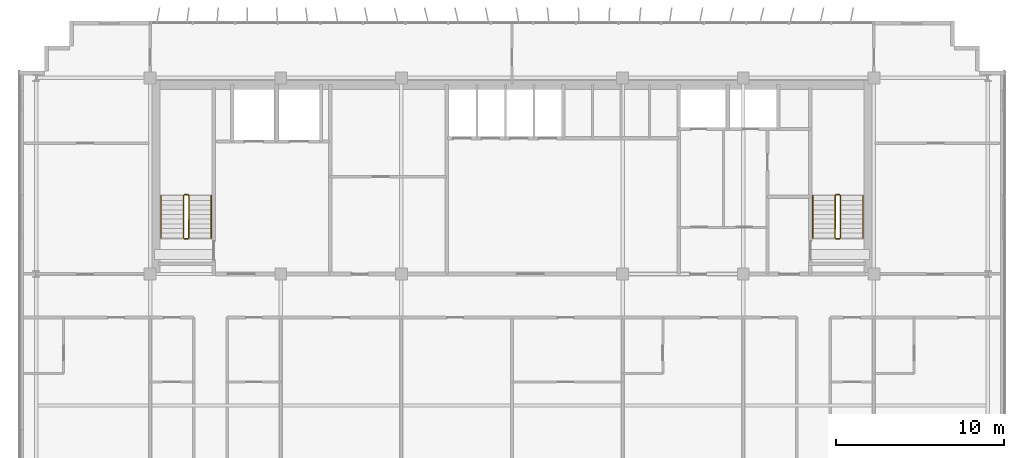
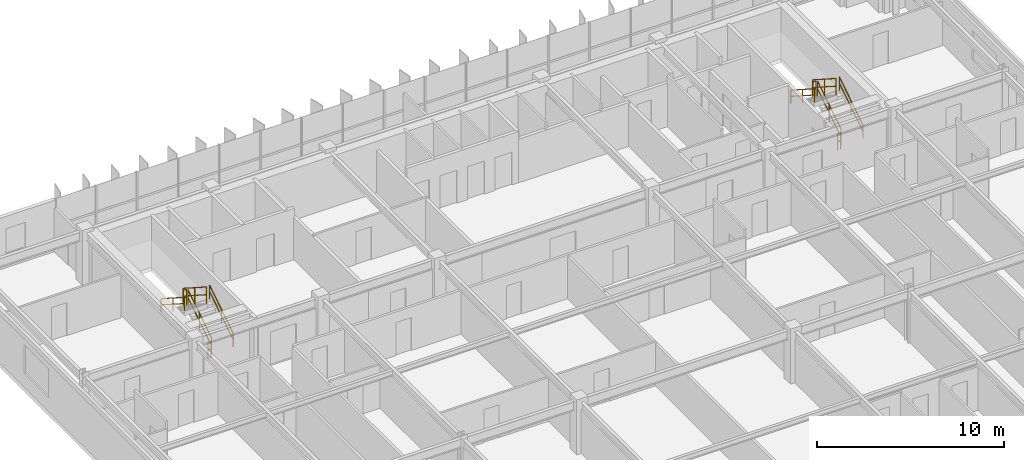
# One storey, part 20 of 20: 12 railings.
"""IFC4 building model written with IfcOpenShell, lengths in metres."""

from ifc_helpers import new_model, si_unit, direction, frame, origin, origin_2d, place, context, subcontext, project, spatial, rectangle, extrude, material, type_object, element, save


model = new_model("IFC4")

# Units and contexts
model_context = context("Model", 3, precision=1e-05, world=origin(), true_north=direction((0.0, 1.0)))
body_context = subcontext(model_context, "Body", "Model", "MODEL_VIEW")
ifc_project = project(units=[si_unit("LENGTHUNIT", "METRE"), si_unit("AREAUNIT", "SQUARE_METRE"), si_unit("VOLUMEUNIT", "CUBIC_METRE"), si_unit("PLANEANGLEUNIT", "RADIAN"), si_unit("MASSUNIT", "GRAM", prefix="KILO")], contexts=[model_context])

# Site, building, storey
site_placement = place(None, origin())
site = spatial("IfcSite", under=ifc_project, at=site_placement, CompositionType="ELEMENT")
building_placement = place(site_placement, origin())
building = spatial("IfcBuilding", under=site, at=building_placement, Name="Trelvane Seafront Commons", CompositionType="ELEMENT")
storey_placement = place(building_placement, frame((0.0, 0.0, 168.10009765625)))
storey = spatial("IfcBuildingStorey", under=building, at=storey_placement, Name="L44", CompositionType="ELEMENT", Elevation=168.10009765625)

# Railings
ifc_material = material(Name="Stainless steel balustrade", Category="steel")
railing_type_1 = type_object("IfcRailingType", Name="ARCH-SRL-GUARD", PredefinedType="GUARDRAIL", material=ifc_material)
railing_1_placement = place(storey_placement, frame((17.89990234375, 35.550048828125, 0.179931640625)))
element("IfcRailing", 1, at=railing_1_placement, inside=storey, type_object=railing_type_1, Name="L44 ST-1 stair guard 1", PredefinedType="GUARDRAIL", context=body_context, shape_type="SweptSolid", body=[
    extrude(rectangle(XDim=0.048095703125, YDim=0.048095703125, at=origin_2d()), frame((0.0, 0.0, 1.076171875), z_axis=(0.0, 0.841199657755, 0.540724639528), x_axis=(-1.0, 0.0, 0.0)), (0.0, 0.0, 1.0), 2.995849609375),
    extrude(rectangle(XDim=0.048095703125, YDim=0.048095703125, at=origin_2d()), frame((0.0, 0.0, 0.572021484375), z_axis=(0.0, 0.841199657755, 0.540724639528), x_axis=(-1.0, 0.0, 0.0)), (0.0, 0.0, 1.0), 2.995849609375),
    extrude(rectangle(XDim=0.0419921875, YDim=0.0419921875, at=origin_2d()), origin(), (0.0, 0.0, 1.0), 1.076171875),
    extrude(rectangle(XDim=0.0419921875, YDim=0.0419921875, at=origin_2d()), frame((0.0, 1.260009765625, 0.81005859375)), (0.0, 0.0, 1.0), 1.076171875),
    extrude(rectangle(XDim=0.0419921875, YDim=0.0419921875, at=origin_2d()), frame((0.0, 2.52001953125, 1.619873046875)), (0.0, 0.0, 1.0), 1.076171875),
])
railing_2_placement = place(storey_placement, frame((17.85009765625, 38.1201171875, 1.7998046875)))
element("IfcRailing", 2, at=railing_2_placement, inside=storey, type_object=railing_type_1, Name="L44 ST-1 stair guard 2", PredefinedType="GUARDRAIL", context=body_context, shape_type="SweptSolid", body=[
    extrude(rectangle(XDim=0.048095703125, YDim=0.048095703125, at=origin_2d()), frame((0.0, 0.0, 1.076171875), z_axis=(-1.0, 0.0, 0.0), x_axis=(0.0, -1.0, 0.0)), (0.0, 0.0, 1.0), 0.2001953125),
    extrude(rectangle(XDim=0.048095703125, YDim=0.048095703125, at=origin_2d()), frame((0.0, 0.0, 0.572021484375), z_axis=(-1.0, 0.0, 0.0), x_axis=(0.0, -1.0, 0.0)), (0.0, 0.0, 1.0), 0.2001953125),
    extrude(rectangle(XDim=0.0419921875, YDim=0.0419921875, at=origin_2d()), origin(), (0.0, 0.0, 1.0), 1.076171875),
    extrude(rectangle(XDim=0.0419921875, YDim=0.0419921875, at=origin_2d()), frame((-0.2001953125, 0.0, 0.0)), (0.0, 0.0, 1.0), 1.076171875),
])
railing_3_placement = place(storey_placement, frame((17.60009765625, 38.070068359375, 1.97998046875)))
element("IfcRailing", 3, at=railing_3_placement, inside=storey, type_object=railing_type_1, Name="L44 ST-1 stair guard 3", PredefinedType="GUARDRAIL", context=body_context, shape_type="SweptSolid", body=[
    extrude(rectangle(XDim=0.048095703125, YDim=0.048095703125, at=origin_2d()), frame((0.0, 0.0, 1.076171875), z_axis=(0.0, -0.841199657755, 0.540724639528), x_axis=(1.0, 0.0, 0.0)), (0.0, 0.0, 1.0), 2.995849609375),
    extrude(rectangle(XDim=0.048095703125, YDim=0.048095703125, at=origin_2d()), frame((0.0, 0.0, 0.572021484375), z_axis=(0.0, -0.841199657755, 0.540724639528), x_axis=(1.0, 0.0, 0.0)), (0.0, 0.0, 1.0), 2.995849609375),
    extrude(rectangle(XDim=0.0419921875, YDim=0.0419921875, at=origin_2d()), origin(), (0.0, 0.0, 1.0), 1.076171875),
    extrude(rectangle(XDim=0.0419921875, YDim=0.0419921875, at=origin_2d()), frame((0.0, -1.260009765625, 0.81005859375)), (0.0, 0.0, 1.0), 1.076171875),
    extrude(rectangle(XDim=0.0419921875, YDim=0.0419921875, at=origin_2d()), frame((0.0, -2.52001953125, 1.619873046875)), (0.0, 0.0, 1.0), 1.076171875),
])
railing_4_placement = place(storey_placement, frame((17.85009765625, 35.5, 0.0)))
element("IfcRailing", 4, at=railing_4_placement, inside=storey, type_object=railing_type_1, Name="L44 ST-1 stair guard 4", PredefinedType="GUARDRAIL", context=body_context, shape_type="SweptSolid", body=[
    extrude(rectangle(XDim=0.048095703125, YDim=0.048095703125, at=origin_2d()), frame((0.0, 0.0, 1.076171875), z_axis=(-1.0, 0.0, 0.0), x_axis=(0.0, -1.0, 0.0)), (0.0, 0.0, 1.0), 0.2001953125),
    extrude(rectangle(XDim=0.048095703125, YDim=0.048095703125, at=origin_2d()), frame((0.0, 0.0, 0.572021484375), z_axis=(-1.0, 0.0, 0.0), x_axis=(0.0, -1.0, 0.0)), (0.0, 0.0, 1.0), 0.2001953125),
    extrude(rectangle(XDim=0.0419921875, YDim=0.0419921875, at=origin_2d()), origin(), (0.0, 0.0, 1.0), 1.076171875),
    extrude(rectangle(XDim=0.0419921875, YDim=0.0419921875, at=origin_2d()), frame((-0.2001953125, 0.0, 0.0)), (0.0, 0.0, 1.0), 1.076171875),
])
railing_5_placement = place(storey_placement, frame((56.800048828125, 35.550048828125, 0.179931640625)))
element("IfcRailing", 5, at=railing_5_placement, inside=storey, type_object=railing_type_1, Name="L44 ST-2 stair guard 1", PredefinedType="GUARDRAIL", context=body_context, shape_type="SweptSolid", body=[
    extrude(rectangle(XDim=0.048095703125, YDim=0.048095703125, at=origin_2d()), frame((0.0, 0.0, 1.076171875), z_axis=(0.0, 0.841199657755, 0.540724639528), x_axis=(-1.0, 0.0, 0.0)), (0.0, 0.0, 1.0), 2.995849609375),
    extrude(rectangle(XDim=0.048095703125, YDim=0.048095703125, at=origin_2d()), frame((0.0, 0.0, 0.572021484375), z_axis=(0.0, 0.841199657755, 0.540724639528), x_axis=(-1.0, 0.0, 0.0)), (0.0, 0.0, 1.0), 2.995849609375),
    extrude(rectangle(XDim=0.0419921875, YDim=0.0419921875, at=origin_2d()), origin(), (0.0, 0.0, 1.0), 1.076171875),
    extrude(rectangle(XDim=0.0419921875, YDim=0.0419921875, at=origin_2d()), frame((0.0, 1.260009765625, 0.81005859375)), (0.0, 0.0, 1.0), 1.076171875),
    extrude(rectangle(XDim=0.0419921875, YDim=0.0419921875, at=origin_2d()), frame((0.0, 2.52001953125, 1.619873046875)), (0.0, 0.0, 1.0), 1.076171875),
])
railing_6_placement = place(storey_placement, frame((56.75, 38.1201171875, 1.7998046875)))
element("IfcRailing", 6, at=railing_6_placement, inside=storey, type_object=railing_type_1, Name="L44 ST-2 stair guard 2", PredefinedType="GUARDRAIL", context=body_context, shape_type="SweptSolid", body=[
    extrude(rectangle(XDim=0.048095703125, YDim=0.048095703125, at=origin_2d()), frame((0.0, 0.0, 1.076171875), z_axis=(-1.0, 0.0, 0.0), x_axis=(0.0, -1.0, 0.0)), (0.0, 0.0, 1.0), 0.199951171875),
    extrude(rectangle(XDim=0.048095703125, YDim=0.048095703125, at=origin_2d()), frame((0.0, 0.0, 0.572021484375), z_axis=(-1.0, 0.0, 0.0), x_axis=(0.0, -1.0, 0.0)), (0.0, 0.0, 1.0), 0.199951171875),
    extrude(rectangle(XDim=0.0419921875, YDim=0.0419921875, at=origin_2d()), origin(), (0.0, 0.0, 1.0), 1.076171875),
    extrude(rectangle(XDim=0.0419921875, YDim=0.0419921875, at=origin_2d()), frame((-0.199951171875, 0.0, 0.0)), (0.0, 0.0, 1.0), 1.076171875),
])
railing_7_placement = place(storey_placement, frame((56.5, 38.070068359375, 1.97998046875)))
element("IfcRailing", 7, at=railing_7_placement, inside=storey, type_object=railing_type_1, Name="L44 ST-2 stair guard 3", PredefinedType="GUARDRAIL", context=body_context, shape_type="SweptSolid", body=[
    extrude(rectangle(XDim=0.048095703125, YDim=0.048095703125, at=origin_2d()), frame((0.0, 0.0, 1.076171875), z_axis=(0.0, -0.841199657755, 0.540724639528), x_axis=(1.0, 0.0, 0.0)), (0.0, 0.0, 1.0), 2.995849609375),
    extrude(rectangle(XDim=0.048095703125, YDim=0.048095703125, at=origin_2d()), frame((0.0, 0.0, 0.572021484375), z_axis=(0.0, -0.841199657755, 0.540724639528), x_axis=(1.0, 0.0, 0.0)), (0.0, 0.0, 1.0), 2.995849609375),
    extrude(rectangle(XDim=0.0419921875, YDim=0.0419921875, at=origin_2d()), origin(), (0.0, 0.0, 1.0), 1.076171875),
    extrude(rectangle(XDim=0.0419921875, YDim=0.0419921875, at=origin_2d()), frame((0.0, -1.260009765625, 0.81005859375)), (0.0, 0.0, 1.0), 1.076171875),
    extrude(rectangle(XDim=0.0419921875, YDim=0.0419921875, at=origin_2d()), frame((0.0, -2.52001953125, 1.619873046875)), (0.0, 0.0, 1.0), 1.076171875),
])
railing_8_placement = place(storey_placement, frame((56.75, 35.5, 0.0)))
element("IfcRailing", 8, at=railing_8_placement, inside=storey, type_object=railing_type_1, Name="L44 ST-2 stair guard 4", PredefinedType="GUARDRAIL", context=body_context, shape_type="SweptSolid", body=[
    extrude(rectangle(XDim=0.048095703125, YDim=0.048095703125, at=origin_2d()), frame((0.0, 0.0, 1.076171875), z_axis=(-1.0, 0.0, 0.0), x_axis=(0.0, -1.0, 0.0)), (0.0, 0.0, 1.0), 0.199951171875),
    extrude(rectangle(XDim=0.048095703125, YDim=0.048095703125, at=origin_2d()), frame((0.0, 0.0, 0.572021484375), z_axis=(-1.0, 0.0, 0.0), x_axis=(0.0, -1.0, 0.0)), (0.0, 0.0, 1.0), 0.199951171875),
    extrude(rectangle(XDim=0.0419921875, YDim=0.0419921875, at=origin_2d()), origin(), (0.0, 0.0, 1.0), 1.076171875),
    extrude(rectangle(XDim=0.0419921875, YDim=0.0419921875, at=origin_2d()), frame((-0.199951171875, 0.0, 0.0)), (0.0, 0.0, 1.0), 1.076171875),
])
railing_type_2 = type_object("IfcRailingType", Name="ARCH-SRL-HAND", PredefinedType="HANDRAIL", material=ifc_material)
railing_9_placement = place(storey_placement, frame((19.25, 35.550048828125, 0.179931640625)))
element("IfcRailing", 9, at=railing_9_placement, inside=storey, type_object=railing_type_2, Name="L44 ST-1 stair handrail 1", PredefinedType="HANDRAIL", context=body_context, shape_type="SweptSolid", body=[
    extrude(rectangle(XDim=0.048095703125, YDim=0.048095703125, at=origin_2d()), frame((0.0, 0.0, 0.8759765625), z_axis=(0.0, 0.841199657755, 0.540724639528), x_axis=(-1.0, 0.0, 0.0)), (0.0, 0.0, 1.0), 2.995849609375),
    extrude(rectangle(XDim=0.048095703125, YDim=0.048095703125, at=origin_2d()), frame((0.0, 0.0, 0.468017578125), z_axis=(0.0, 0.841199657755, 0.540724639528), x_axis=(-1.0, 0.0, 0.0)), (0.0, 0.0, 1.0), 2.995849609375),
    extrude(rectangle(XDim=0.0419921875, YDim=0.0419921875, at=origin_2d()), origin(), (0.0, 0.0, 1.0), 0.8759765625),
    extrude(rectangle(XDim=0.0419921875, YDim=0.0419921875, at=origin_2d()), frame((0.0, 1.260009765625, 0.81005859375)), (0.0, 0.0, 1.0), 0.8759765625),
    extrude(rectangle(XDim=0.0419921875, YDim=0.0419921875, at=origin_2d()), frame((0.0, 2.52001953125, 1.619873046875)), (0.0, 0.0, 1.0), 0.8759765625),
])
railing_10_placement = place(storey_placement, frame((16.25, 38.070068359375, 1.97998046875)))
element("IfcRailing", 10, at=railing_10_placement, inside=storey, type_object=railing_type_2, Name="L44 ST-1 stair handrail 2", PredefinedType="HANDRAIL", context=body_context, shape_type="SweptSolid", body=[
    extrude(rectangle(XDim=0.048095703125, YDim=0.048095703125, at=origin_2d()), frame((0.0, 0.0, 0.8759765625), z_axis=(0.0, -0.841199657755, 0.540724639528), x_axis=(1.0, 0.0, 0.0)), (0.0, 0.0, 1.0), 2.995849609375),
    extrude(rectangle(XDim=0.048095703125, YDim=0.048095703125, at=origin_2d()), frame((0.0, 0.0, 0.468017578125), z_axis=(0.0, -0.841199657755, 0.540724639528), x_axis=(1.0, 0.0, 0.0)), (0.0, 0.0, 1.0), 2.995849609375),
    extrude(rectangle(XDim=0.0419921875, YDim=0.0419921875, at=origin_2d()), origin(), (0.0, 0.0, 1.0), 0.8759765625),
    extrude(rectangle(XDim=0.0419921875, YDim=0.0419921875, at=origin_2d()), frame((0.0, -1.260009765625, 0.81005859375)), (0.0, 0.0, 1.0), 0.8759765625),
    extrude(rectangle(XDim=0.0419921875, YDim=0.0419921875, at=origin_2d()), frame((0.0, -2.52001953125, 1.619873046875)), (0.0, 0.0, 1.0), 0.8759765625),
])
railing_11_placement = place(storey_placement, frame((58.14990234375, 35.550048828125, 0.179931640625)))
element("IfcRailing", 11, at=railing_11_placement, inside=storey, type_object=railing_type_2, Name="L44 ST-2 stair handrail 1", PredefinedType="HANDRAIL", context=body_context, shape_type="SweptSolid", body=[
    extrude(rectangle(XDim=0.048095703125, YDim=0.048095703125, at=origin_2d()), frame((0.0, 0.0, 0.8759765625), z_axis=(0.0, 0.841199657755, 0.540724639528), x_axis=(-1.0, 0.0, 0.0)), (0.0, 0.0, 1.0), 2.995849609375),
    extrude(rectangle(XDim=0.048095703125, YDim=0.048095703125, at=origin_2d()), frame((0.0, 0.0, 0.468017578125), z_axis=(0.0, 0.841199657755, 0.540724639528), x_axis=(-1.0, 0.0, 0.0)), (0.0, 0.0, 1.0), 2.995849609375),
    extrude(rectangle(XDim=0.0419921875, YDim=0.0419921875, at=origin_2d()), origin(), (0.0, 0.0, 1.0), 0.8759765625),
    extrude(rectangle(XDim=0.0419921875, YDim=0.0419921875, at=origin_2d()), frame((0.0, 1.260009765625, 0.81005859375)), (0.0, 0.0, 1.0), 0.8759765625),
    extrude(rectangle(XDim=0.0419921875, YDim=0.0419921875, at=origin_2d()), frame((0.0, 2.52001953125, 1.619873046875)), (0.0, 0.0, 1.0), 0.8759765625),
])
railing_12_placement = place(storey_placement, frame((55.14990234375, 38.070068359375, 1.97998046875)))
element("IfcRailing", 12, at=railing_12_placement, inside=storey, type_object=railing_type_2, Name="L44 ST-2 stair handrail 2", PredefinedType="HANDRAIL", context=body_context, shape_type="SweptSolid", body=[
    extrude(rectangle(XDim=0.048095703125, YDim=0.048095703125, at=origin_2d()), frame((0.0, 0.0, 0.8759765625), z_axis=(0.0, -0.841199657755, 0.540724639528), x_axis=(1.0, 0.0, 0.0)), (0.0, 0.0, 1.0), 2.995849609375),
    extrude(rectangle(XDim=0.048095703125, YDim=0.048095703125, at=origin_2d()), frame((0.0, 0.0, 0.468017578125), z_axis=(0.0, -0.841199657755, 0.540724639528), x_axis=(1.0, 0.0, 0.0)), (0.0, 0.0, 1.0), 2.995849609375),
    extrude(rectangle(XDim=0.0419921875, YDim=0.0419921875, at=origin_2d()), origin(), (0.0, 0.0, 1.0), 0.8759765625),
    extrude(rectangle(XDim=0.0419921875, YDim=0.0419921875, at=origin_2d()), frame((0.0, -1.260009765625, 0.81005859375)), (0.0, 0.0, 1.0), 0.8759765625),
    extrude(rectangle(XDim=0.0419921875, YDim=0.0419921875, at=origin_2d()), frame((0.0, -2.52001953125, 1.619873046875)), (0.0, 0.0, 1.0), 0.8759765625),
])

save(model, "model.ifc")
